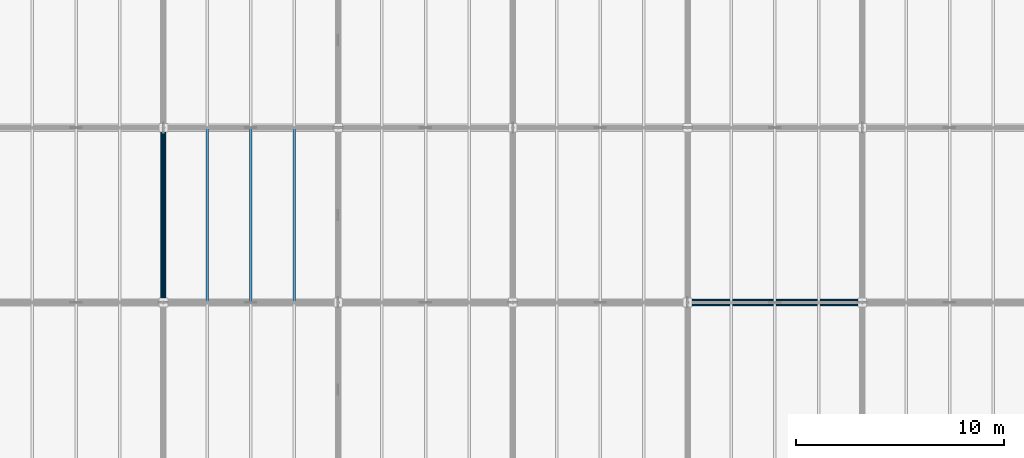
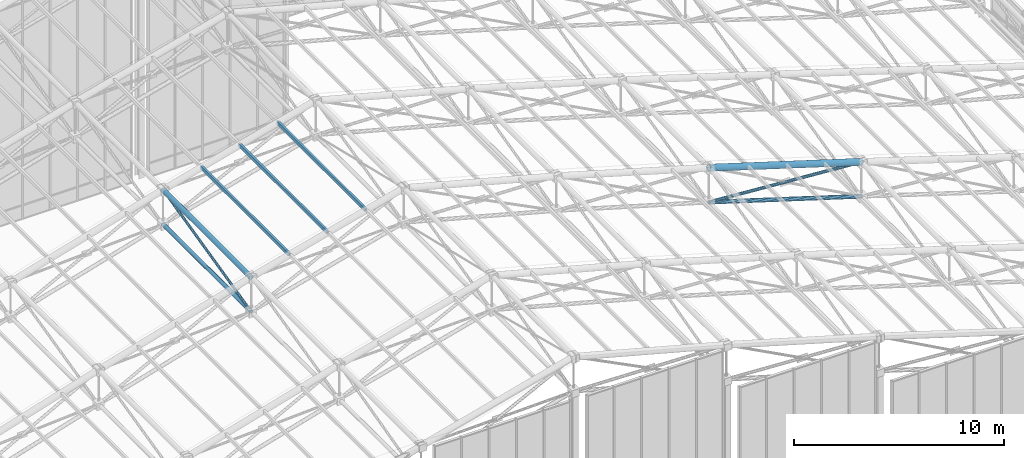
# One storey, part 52 of 144: 9 members.
"""IFC4 building model written with IfcOpenShell, lengths in metres."""

from ifc_helpers import new_model, si_unit, direction, frame, origin, origin_2d, place, context, subcontext, project, spatial, hollow_rectangle, hollow_circle, extrude, material, material_profile, profile_set, type_object, element, save


model = new_model("IFC4")

# Units and contexts
model_context = context("Model", 3, precision=1e-05, world=origin(), true_north=direction((0.0, 1.0)))
body_context = subcontext(model_context, "Body", "Model", "MODEL_VIEW")
ifc_project = project(units=[si_unit("LENGTHUNIT", "METRE"), si_unit("AREAUNIT", "SQUARE_METRE"), si_unit("VOLUMEUNIT", "CUBIC_METRE"), si_unit("PLANEANGLEUNIT", "RADIAN"), si_unit("MASSUNIT", "GRAM", prefix="KILO")], contexts=[model_context])

# Site, building, storey
site_placement = place(None, origin())
site = spatial("IfcSite", under=ifc_project, at=site_placement, CompositionType="ELEMENT")
building_placement = place(site_placement, origin())
building = spatial("IfcBuilding", under=site, at=building_placement, Name="Zayran Congress Hotel", CompositionType="ELEMENT")
storey_placement = place(building_placement, frame((0.0, 0.0, 19.199951171875)))
storey = spatial("IfcBuildingStorey", under=building, at=storey_placement, Name="L04", CompositionType="ELEMENT", Elevation=19.199951171875)

# Members
ifc_material = material(Name="Steel S355", Category="steel")
ifc_material_profile_1 = material_profile(ifc_material, hollow_circle(Radius=0.177734375, WallThickness=0.01611328125, at=origin_2d()), Name="CHS 355.6x16")
ifc_profile_set_1 = profile_set([ifc_material_profile_1], Name="Steel S355")
member_type_1 = type_object("IfcMemberType", Name="TP-SF-TC1", PredefinedType="CHORD", material=ifc_profile_set_1)
member_1_placement = place(storey_placement, frame((67.199951171875, 84.39990234375, 9.902099609375), z_axis=(0.955284210171, 0.0, -0.29568915739), x_axis=(0.0, 1.0, 0.0)))
element("IfcMember", 1, at=member_1_placement, inside=storey, type_object=member_type_1, Name="Space Frame Top Chord X 400", PredefinedType="CHORD", context=body_context, shape_type="SweptSolid", body=[
    extrude(hollow_circle(Radius=0.177734375, WallThickness=0.01611328125, at=origin_2d()), origin(), (0.0, 0.0, 1.0), 8.79345703125),
])
ifc_material_profile_2 = material_profile(ifc_material, hollow_circle(Radius=0.136474609375, WallThickness=0.012451171875, at=origin_2d()), Name="CHS 273x12.5")
ifc_profile_set_2 = profile_set([ifc_material_profile_2], Name="Steel S355")
member_type_2 = type_object("IfcMemberType", Name="TP-SF-TC2", PredefinedType="CHORD", material=ifc_profile_set_2)
member_2_placement = place(storey_placement, frame((42.0, 84.39990234375, 12.35205078125), z_axis=(0.0, 1.0, 0.0), x_axis=(-1.0, 0.0, 0.0)))
element("IfcMember", 2, at=member_2_placement, inside=storey, type_object=member_type_2, Name="Space Frame Top Chord Y 239", PredefinedType="CHORD", context=body_context, shape_type="SweptSolid", body=[
    extrude(hollow_circle(Radius=0.136474609375, WallThickness=0.012451171875, at=origin_2d()), origin(), (0.0, 0.0, 1.0), 8.400146484375),
])
ifc_material_profile_3 = material_profile(ifc_material, hollow_circle(Radius=0.109619140625, WallThickness=0.010009765625, at=origin_2d()), Name="CHS 219.1x10")
ifc_profile_set_3 = profile_set([ifc_material_profile_3], Name="Steel S355")
member_type_3 = type_object("IfcMemberType", Name="TP-SF-BC1", PredefinedType="CHORD", material=ifc_profile_set_3)
member_3_placement = place(storey_placement, frame((42.0, 84.39990234375, 10.35009765625), z_axis=(0.0, 1.0, 0.0), x_axis=(-1.0, 0.0, 0.0)))
element("IfcMember", 3, at=member_3_placement, inside=storey, type_object=member_type_3, Name="Space Frame Bottom Chord Y 240", PredefinedType="CHORD", context=body_context, shape_type="SweptSolid", body=[
    extrude(hollow_circle(Radius=0.109619140625, WallThickness=0.010009765625, at=origin_2d()), origin(), (0.0, 0.0, 1.0), 8.400146484375),
])
member_4_placement = place(storey_placement, frame((67.199951171875, 84.39990234375, 7.900146484375), z_axis=(0.955284210171, 0.0, -0.29568915739), x_axis=(0.0, 1.0, 0.0)))
element("IfcMember", 4, at=member_4_placement, inside=storey, type_object=member_type_3, Name="Space Frame Bottom Chord X 401", PredefinedType="CHORD", context=body_context, shape_type="SweptSolid", body=[
    extrude(hollow_circle(Radius=0.109619140625, WallThickness=0.010009765625, at=origin_2d()), origin(), (0.0, 0.0, 1.0), 8.79345703125),
])
ifc_material_profile_4 = material_profile(ifc_material, hollow_circle(Radius=0.084228515625, WallThickness=0.008056640625, at=origin_2d()), Name="CHS 168.3x8")
ifc_profile_set_4 = profile_set([ifc_material_profile_4], Name="Steel S355")
member_type_4 = type_object("IfcMemberType", Name="TP-SF-DG1", PredefinedType="BRACE", material=ifc_profile_set_4)
member_5_placement = place(storey_placement, frame((67.199951171875, 84.39990234375, 7.900146484375), z_axis=(0.997474421553, 0.0, -0.071026603098), x_axis=(0.0, 1.0, 0.0)))
element("IfcMember", 5, at=member_5_placement, inside=storey, type_object=member_type_4, Name="Space Frame Web Diagonal X 402", PredefinedType="BRACE", context=body_context, shape_type="SweptSolid", body=[
    extrude(hollow_circle(Radius=0.084228515625, WallThickness=0.008056640625, at=origin_2d()), origin(), (0.0, 0.0, 1.0), 8.42138671875),
])
ifc_material_profile_5 = material_profile(ifc_material, hollow_circle(Radius=0.06982421875, WallThickness=0.00634765625, at=origin_2d()), Name="CHS 139.7x6.3")
ifc_profile_set_5 = profile_set([ifc_material_profile_5], Name="Steel S355")
member_type_5 = type_object("IfcMemberType", Name="TP-SF-DG2", PredefinedType="BRACE", material=ifc_profile_set_5)
member_6_placement = place(storey_placement, frame((42.0, 84.39990234375, 10.35009765625), z_axis=(0.0, 0.972756139537, 0.231830742122), x_axis=(-1.0, 0.0, 0.0)))
element("IfcMember", 6, at=member_6_placement, inside=storey, type_object=member_type_5, Name="Space Frame Web Diagonal Y 241", PredefinedType="BRACE", context=body_context, shape_type="SweptSolid", body=[
    extrude(hollow_circle(Radius=0.06982421875, WallThickness=0.00634765625, at=origin_2d()), origin(), (0.0, 0.0, 1.0), 8.635498046875),
])
ifc_material_profile_6 = material_profile(ifc_material, hollow_rectangle(XDim=0.1201171875, YDim=0.199951171875, WallThickness=0.008056640625, at=origin_2d()), Name="RHS 200x120x8")
ifc_profile_set_6 = profile_set([ifc_material_profile_6], Name="Steel S355")
member_type_6 = type_object("IfcMemberType", Name="TP-PR-01", PredefinedType="PURLIN", material=ifc_profile_set_6)
for number, where, z_axis, x_axis, name in (
    (7, (44.10009765625, 84.39990234375, 12.95654296875), (0.0, 1.0, 0.0), (-1.0, 0.0, 0.0), "MEM-PR-V1-0075"),
    (8, (46.199951171875, 84.39990234375, 13.51904296875), (0.0, 1.0, 0.0), (-1.0, 0.0, 0.0), "MEM-PR-V1-0081"),
    (9, (48.300048828125, 84.39990234375, 14.08154296875), (0.0, 1.0, 0.0), (-1.0, 0.0, 0.0), "MEM-PR-V1-0087"),
):
    element("IfcMember", number, at=place(storey_placement, frame(where, z_axis=z_axis, x_axis=x_axis)), inside=storey, type_object=member_type_6, Name=name, PredefinedType="PURLIN", context=body_context, shape_type="SweptSolid", body=[
        extrude(hollow_rectangle(XDim=0.1201171875, YDim=0.199951171875, WallThickness=0.008056640625, at=origin_2d()), origin(), (0.0, 0.0, 1.0), 8.400146484375),
    ])

save(model, "model.ifc")
